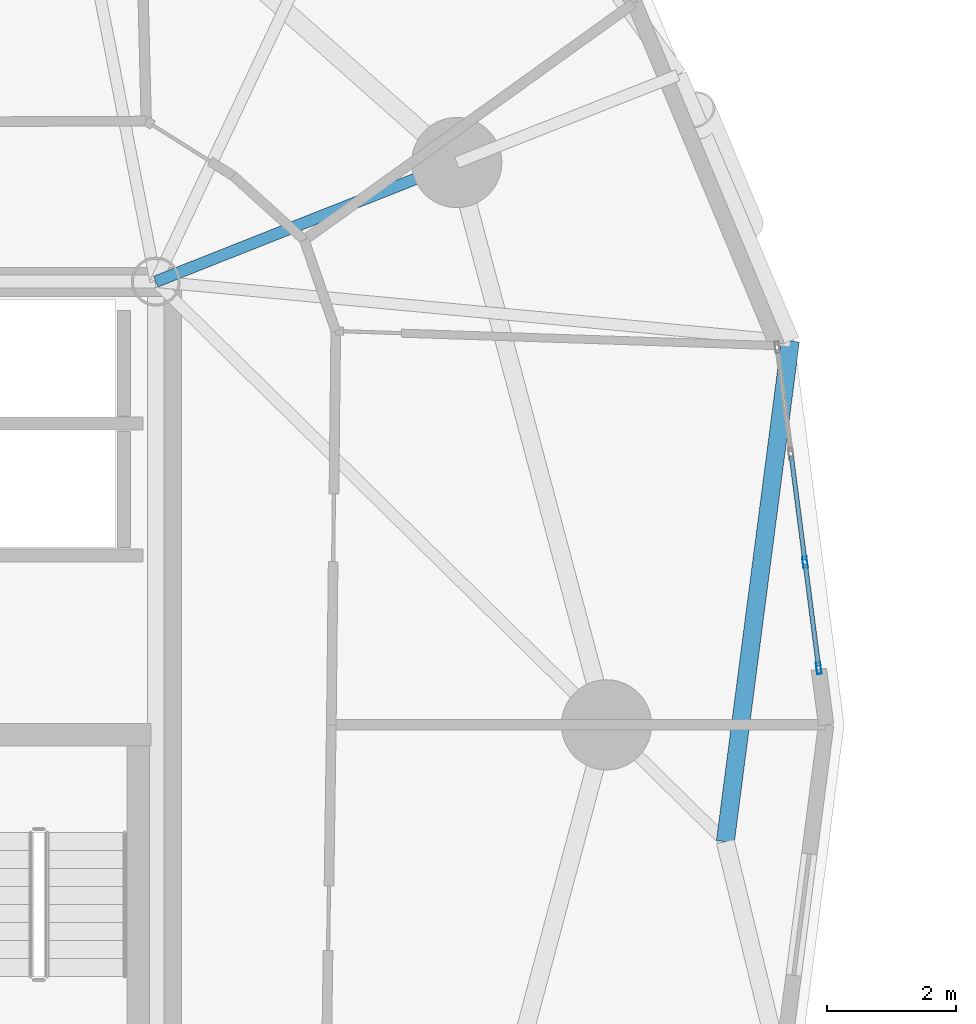
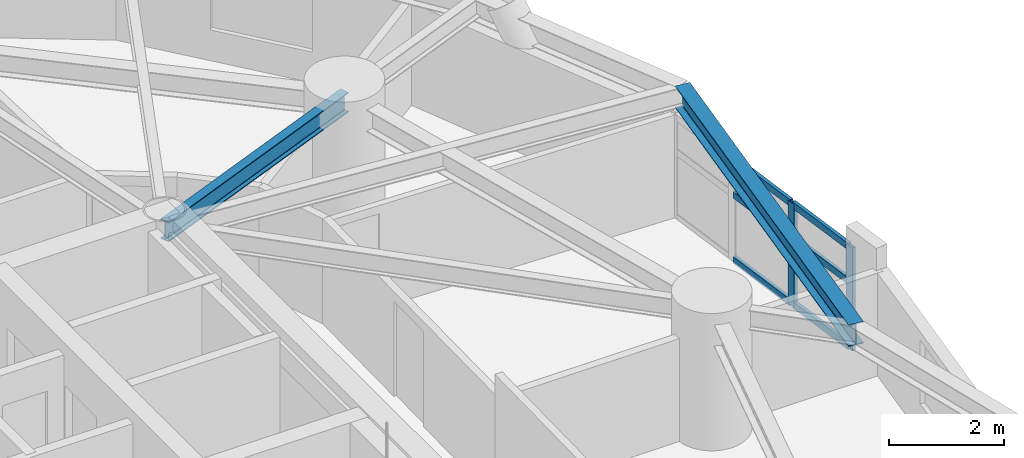
# One storey, part 2 of 17: 8 members, 2 beams, 1 element without a shape of its own.
"""IFC4 building model written with IfcOpenShell, lengths in metres."""

import ifcopenshell
import ifcopenshell.guid

model = None  # the IFC model being written
_history = None  # IfcOwnerHistory: only IFC2X3 demands one
_inside = {}  # id of a spatial element -> (the spatial element, [elements in it])
_under = {}  # id of a project, library or spatial element -> (it, [spatial elements below it])
_declared = {}  # id of a project -> (the project, [libraries it declares])
_typed = {}  # id of a type object -> (the type object, [elements of that type])
_made_of = {}  # id of a material, layer set ... -> (it, [elements and type objects made of it])


def new_model(schema):
    """Start an empty IFC model of exactly this schema.

    Asked for "IFC4X3", IfcOpenShell would pick the latest addendum, in which some entities
    have other attributes; the version numbers below select the first issue.
    IFC2X3 requires an IfcOwnerHistory on every rooted entity: one is made here for all.
    """
    global model, _history
    if schema == "IFC4X3":
        model = ifcopenshell.file(schema_version=(4, 3, 0, 0))
    else:
        model = ifcopenshell.file(schema=schema)
    _inside.clear()
    _under.clear()
    _declared.clear()
    _typed.clear()
    _made_of.clear()
    _history = None
    if model.schema == "IFC2X3":
        org = make("IfcOrganization", Name="unknown")
        user = make(
            "IfcPersonAndOrganization",
            ThePerson=make("IfcPerson", FamilyName="unknown"),
            TheOrganization=org,
        )
        app = make(
            "IfcApplication",
            ApplicationDeveloper=org,
            Version="unknown",
            ApplicationFullName="unknown",
            ApplicationIdentifier="unknown",
        )
        _history = make(
            "IfcOwnerHistory",
            OwningUser=user,
            OwningApplication=app,
            ChangeAction="ADDED",
            CreationDate=0,
        )
    return model


def make(cls, **values):
    """One entity of the class cls with the attributes given. An attribute that is None is left unset."""
    return model.create_entity(
        cls, **{name: value for name, value in values.items() if value is not None}
    )


def rooted(cls, **values):
    """An entity with a GlobalId (a new one), such as an element, a storey or a relation."""
    return make(cls, GlobalId=ifcopenshell.guid.new(), OwnerHistory=_history, **values)


def si_unit(unit_type, name, prefix=None):
    """IfcSIUnit, for example si_unit("LENGTHUNIT", "METRE", prefix="MILLI")."""
    return make("IfcSIUnit", UnitType=unit_type, Prefix=prefix, Name=name)


def assignment(units):
    """IfcUnitAssignment: the units of a project."""
    return None if units is None else make("IfcUnitAssignment", Units=units)


def point(xyz):
    """IfcCartesianPoint."""
    return None if xyz is None else make("IfcCartesianPoint", Coordinates=xyz)


def direction(xyz):
    """IfcDirection."""
    return None if xyz is None else make("IfcDirection", DirectionRatios=xyz)


def frame(location, z_axis=None, x_axis=None):
    """IfcAxis2Placement3D, a coordinate frame: its origin and axes. An axis left out is left unset."""
    return make(
        "IfcAxis2Placement3D",
        Location=point(location),
        Axis=direction(z_axis),
        RefDirection=direction(x_axis),
    )


def frame_2d(location, x_axis=None):
    """IfcAxis2Placement2D, a coordinate frame in the plane: its origin and x axis."""
    return make(
        "IfcAxis2Placement2D", Location=point(location), RefDirection=direction(x_axis)
    )


def origin():
    """The frame at (0, 0, 0) with its axes left unset."""
    return frame((0.0, 0.0, 0.0))


def origin_2d():
    """The frame at (0, 0) in the plane with its x axis left unset."""
    return frame_2d((0.0, 0.0))


def place(relative_to, where):
    """IfcLocalPlacement: puts the frame where relative to a parent placement (None: the world)."""
    return make(
        "IfcLocalPlacement", PlacementRelTo=relative_to, RelativePlacement=where
    )


def context(
    kind, dimensions, precision=None, world=None, true_north=None, identifier=None
):
    """IfcGeometricRepresentationContext, for example the 3D "Model" context."""
    return make(
        "IfcGeometricRepresentationContext",
        ContextIdentifier=identifier,
        ContextType=kind,
        CoordinateSpaceDimension=dimensions,
        Precision=precision,
        WorldCoordinateSystem=world,
        TrueNorth=true_north,
    )


def subcontext(parent, identifier, kind, view, scale=None):
    """IfcGeometricRepresentationSubContext, for example "Body" below "Model"."""
    return make(
        "IfcGeometricRepresentationSubContext",
        ContextIdentifier=identifier,
        ContextType=kind,
        ParentContext=parent,
        TargetScale=scale,
        TargetView=view,
    )


def project(units=None, contexts=None):
    """IfcProject with its units and contexts."""
    return rooted(
        "IfcProject",
        Name="project",
        RepresentationContexts=contexts,
        UnitsInContext=assignment(units),
    )


def spatial(cls, under=None, at=None, **own):
    """A site, building, storey or space (cls), placed at a placement, below another one or the project."""
    s = rooted(cls, ObjectPlacement=at, **own)
    if under is not None:
        _under.setdefault(under.id(), (under, []))[1].append(s)
    return s


def profile(cls, at=None, kind="AREA", **sizes):
    """A parametric profile (cls). Its sizes go by their IFC names, for example OverallWidth=200.0."""
    return make(cls, ProfileType=kind, Position=at, **sizes)


def hollow_rectangle(**sizes):
    """IfcRectangleHollowProfileDef."""
    return profile("IfcRectangleHollowProfileDef", **sizes)


def i_section(**sizes):
    """IfcIShapeProfileDef."""
    return profile("IfcIShapeProfileDef", **sizes)


def extrude(swept, where, along, depth):
    """IfcExtrudedAreaSolid: the profile swept, set in the frame where, extruded along a direction by depth."""
    return make(
        "IfcExtrudedAreaSolid",
        SweptArea=swept,
        Position=where,
        ExtrudedDirection=direction(along),
        Depth=depth,
    )


def shape(context_of_items, identifier, shape_type, items):
    """IfcShapeRepresentation: the items that make up one representation, for example the "Body"."""
    return make(
        "IfcShapeRepresentation",
        ContextOfItems=context_of_items,
        RepresentationIdentifier=identifier,
        RepresentationType=shape_type,
        Items=items,
    )


def material(Name=None, Category=None):
    """IfcMaterial."""
    return make("IfcMaterial", Name=Name, Category=Category)


def layer(
    of_material, thickness, ventilated=None, Name=None, Category=None, Priority=None
):
    """IfcMaterialLayer: one layer of a wall or slab, of a material (None: an air gap)."""
    return make(
        "IfcMaterialLayer",
        Material=of_material,
        LayerThickness=thickness,
        IsVentilated=ventilated,
        Name=Name,
        Category=Category,
        Priority=Priority,
    )


def layer_set(layers, Name=None):
    """IfcMaterialLayerSet."""
    return make("IfcMaterialLayerSet", MaterialLayers=layers, LayerSetName=Name)


def material_profile(
    of_material, cross_section, Name=None, Category=None, Priority=None
):
    """IfcMaterialProfile: a cross section and its material."""
    return make(
        "IfcMaterialProfile",
        Name=Name,
        Material=of_material,
        Profile=cross_section,
        Priority=Priority,
        Category=Category,
    )


def profile_set(profiles, Name=None, composite=None):
    """IfcMaterialProfileSet."""
    return make(
        "IfcMaterialProfileSet",
        Name=Name,
        MaterialProfiles=profiles,
        CompositeProfile=composite,
    )


def made_of(thing, what):
    """Note that an element or type object is made of a material, layer set ...; save() writes the relation."""
    if what is not None:
        _made_of.setdefault(what.id(), (what, []))[1].append(thing)
    return thing


def type_object(cls, material=None, **own):
    """A type object (cls), such as IfcWallType, which elements share."""
    return made_of(rooted(cls, **own), material)


def element(
    cls,
    number,
    at=None,
    inside=None,
    cuts=None,
    type_object=None,
    material=None,
    context=None,
    identifier="Body",
    shape_type=None,
    held_by="IfcProductDefinitionShape",
    body=None,
    shapes=None,
    **own,
):
    """One element of the class cls, such as IfcWall. Its Tag is "e" and its number.

    at: its placement. inside: the storey or other place that contains it. cuts: it is an
    opening in that element (IfcRelVoidsElement). A single representation is given by context,
    identifier, shape_type and body (its items); several are given by shapes. held_by: the class
    of the entity that holds the representations. save() writes the other relations.
    """
    e = rooted(cls, Tag="e%d" % number, ObjectPlacement=at, **own)
    if body is not None:
        shapes = [shape(context, identifier, shape_type, body)]
    if shapes is not None:
        e.Representation = make(held_by, Representations=shapes)
    if inside is not None:
        _inside.setdefault(inside.id(), (inside, []))[1].append(e)
    if cuts is not None:
        rooted(
            "IfcRelVoidsElement", RelatingBuildingElement=cuts, RelatedOpeningElement=e
        )
    if type_object is not None:
        _typed.setdefault(type_object.id(), (type_object, []))[1].append(e)
    return made_of(e, material)


def aggregate(whole, parts):
    """IfcRelAggregates: a whole, such as a stair, and the parts it consists of."""
    return rooted("IfcRelAggregates", RelatingObject=whole, RelatedObjects=parts)


def save(model, path):
    """Write the relations noted so far, then the file.

    IfcRelAggregates (storeys below a building ...), IfcRelContainedInSpatialStructure (elements
    in a storey), IfcRelDefinesByType, IfcRelAssociatesMaterial and IfcRelDeclares: one each for
    every whole, place, type object, material and project.
    """
    for whole, parts in _under.values():
        aggregate(whole, parts)
    for where, things in _inside.values():
        rooted(
            "IfcRelContainedInSpatialStructure",
            RelatedElements=things,
            RelatingStructure=where,
        )
    for kind, things in _typed.values():
        rooted("IfcRelDefinesByType", RelatedObjects=things, RelatingType=kind)
    for what, things in _made_of.values():
        rooted("IfcRelAssociatesMaterial", RelatedObjects=things, RelatingMaterial=what)
    for by, libraries in _declared.values():
        rooted("IfcRelDeclares", RelatingContext=by, RelatedDefinitions=libraries)
    model.write(path)


model = new_model("IFC4")

# Units and contexts
model_context = context("Model", 3, precision=1e-05, world=origin(), true_north=direction((0.0, 1.0)))
body_context = subcontext(model_context, "Body", "Model", "MODEL_VIEW")
ifc_project = project(units=[si_unit("LENGTHUNIT", "METRE"), si_unit("AREAUNIT", "SQUARE_METRE"), si_unit("VOLUMEUNIT", "CUBIC_METRE"), si_unit("PLANEANGLEUNIT", "RADIAN"), si_unit("MASSUNIT", "GRAM", prefix="KILO")], contexts=[model_context])

# Site, building, storey
site_placement = place(None, origin())
site = spatial("IfcSite", under=ifc_project, at=site_placement, CompositionType="ELEMENT")
building_placement = place(site_placement, origin())
building = spatial("IfcBuilding", under=site, at=building_placement, Name="Cununo Teusaquillo Station Towers", CompositionType="ELEMENT")
storey_placement = place(building_placement, frame((0.0, 0.0, 78.8798828125)))
storey = spatial("IfcBuildingStorey", under=building, at=storey_placement, Name="L24", CompositionType="ELEMENT", Elevation=78.8798828125)

# Beams
ifc_material_1 = material(Name="Steel ASTM A572 Grade 50", Category="steel")
ifc_material_profile_1 = material_profile(ifc_material_1, i_section(OverallWidth=0.180908203125, OverallDepth=0.4169921875, WebThickness=0.010986328125, FlangeThickness=0.018310546875, FilletRadius=0.012939453125, at=origin_2d()), Name="W16X57")
ifc_profile_set_1 = profile_set([ifc_material_profile_1], Name="Steel ASTM A572 Grade 50")
beam_type_1 = type_object("IfcBeamType", Name="BM-RAD-G2", PredefinedType="BEAM", material=ifc_profile_set_1)
beam_1_placement = place(storey_placement, frame((21.675048828125, 31.3798828125, 2.461669921875), z_axis=(0.929864104313, 0.367903176814, 0.0), x_axis=(-0.367903176814, 0.929864104313, 0.0)))
element("IfcBeam", 1, at=beam_1_placement, inside=storey, type_object=beam_type_1, Name="L24 Tower A Radial Girder 02A", PredefinedType="BEAM", context=body_context, shape_type="SweptSolid", body=[
    extrude(i_section(OverallWidth=0.180908203125, OverallDepth=0.4169921875, WebThickness=0.010986328125, FlangeThickness=0.018310546875, FilletRadius=0.012939453125, at=origin_2d()), origin(), (0.0, 0.0, 1.0), 5.02490234375),
])
ifc_material_2 = material(Name="Steel ASTM A572 Grade 50", Category="steel")
ifc_material_profile_2 = material_profile(ifc_material_2, i_section(OverallWidth=0.280029296875, OverallDepth=0.462890625, WebThickness=0.0107421875, FlangeThickness=0.017333984375, FilletRadius=0.013916015625, at=origin_2d()), Name="W18X76")
ifc_profile_set_2 = profile_set([ifc_material_profile_2], Name="Steel ASTM A572 Grade 50")
beam_type_2 = type_object("IfcBeamType", Name="BM-RING-Z2", PredefinedType="SPANDREL", material=ifc_profile_set_2)
beam_2_placement = place(storey_placement, frame((30.51708984375, 22.685791015625, 2.438720703125), z_axis=(0.12888124113, 0.991660035337, 0.0), x_axis=(-0.991660035337, 0.12888124113, 0.0)))
element("IfcBeam", 2, at=beam_2_placement, inside=storey, type_object=beam_type_2, Name="L24 Tower A Spandrel Ring Beam 01", PredefinedType="SPANDREL", context=body_context, shape_type="SweptSolid", body=[
    extrude(i_section(OverallWidth=0.280029296875, OverallDepth=0.462890625, WebThickness=0.0107421875, FlangeThickness=0.017333984375, FilletRadius=0.013916015625, at=origin_2d()), origin(), (0.0, 0.0, 1.0), 7.840576171875),
])

# Curtain wall, members
ifc_material_3 = material(Name="Ceramic-fritted dark low-E double glazing", Category="glass")
ifc_layer = layer(ifc_material_3, 0.179931640625)
ifc_layer_set = layer_set([ifc_layer], Name="Ceramic-fritted dark low-E double glazing")
curtain_wall_type = type_object("IfcCurtainWallType", Name="CW-SYS-04", PredefinedType="USERDEFINED", material=ifc_layer_set)
curtain_wall_placement = place(storey_placement, origin())
curtain_wall = element("IfcCurtainWall", 3, at=curtain_wall_placement, inside=storey, type_object=curtain_wall_type, Name="L24 Tower A Facade Curtain Wall C00", ObjectType="FRITTED GLAZING", PredefinedType="USERDEFINED")
ifc_material_4 = material(Name="Anodised dark bronze aluminium EN AW-6063-T6", Category="aluminium")
ifc_material_profile_3 = material_profile(ifc_material_4, hollow_rectangle(XDim=0.070068359375, YDim=0.179931640625, WallThickness=0.00390625, at=origin_2d()), Name="CW-MULL-70x180")
ifc_profile_set_3 = profile_set([ifc_material_profile_3], Name="Anodised dark bronze aluminium EN AW-6063-T6")
member_type_1 = type_object("IfcMemberType", Name="CWM-180", PredefinedType="MULLION", material=ifc_profile_set_3)
member_1_placement = place(storey_placement, frame((31.754150390625, 27.0263671875, 0.0), z_axis=(0.0, 0.0, 1.0), x_axis=(0.991730764367, 0.128335852387, 0.0)))
member_1 = element("IfcMember", 4, at=member_1_placement, type_object=member_type_1, Name="CW-04 mullion 3", PredefinedType="MULLION", context=body_context, shape_type="SweptSolid", body=[
    extrude(hollow_rectangle(XDim=0.070068359375, YDim=0.179931640625, WallThickness=0.00390625, at=origin_2d()), origin(), (0.0, 0.0, 1.0), 2.17919921875),
])
member_2_placement = place(storey_placement, frame((31.967529296875, 25.377685546875, 0.0), z_axis=(0.0, 0.0, 1.0), x_axis=(0.991730764367, 0.128335852387, 0.0)))
member_2 = element("IfcMember", 5, at=member_2_placement, type_object=member_type_1, Name="CW-04 mullion 4", PredefinedType="MULLION", context=body_context, shape_type="SweptSolid", body=[
    extrude(hollow_rectangle(XDim=0.070068359375, YDim=0.179931640625, WallThickness=0.00390625, at=origin_2d()), origin(), (0.0, 0.0, 1.0), 2.17919921875),
])
ifc_material_5 = material(Name="Anodised dark bronze aluminium EN AW-6063-T6", Category="aluminium")
ifc_material_profile_4 = material_profile(ifc_material_5, hollow_rectangle(XDim=0.070068359375, YDim=0.139892578125, WallThickness=0.00390625, at=origin_2d()), Name="CW-TRAN-70x140")
ifc_profile_set_4 = profile_set([ifc_material_profile_4], Name="Anodised dark bronze aluminium EN AW-6063-T6")
member_type_2 = type_object("IfcMemberType", Name="CWT-140", PredefinedType="USERDEFINED", material=ifc_profile_set_4)
member_3_placement = place(storey_placement, frame((31.540771484375, 28.675048828125, 0.03515625), z_axis=(0.128261686134, -0.991740359101, 0.0), x_axis=(0.991740359101, 0.128261686134, 0.0)))
member_3 = element("IfcMember", 6, at=member_3_placement, type_object=member_type_2, Name="CW-04 transom 2.1", ObjectType="TRANSOM", PredefinedType="USERDEFINED", context=body_context, shape_type="SweptSolid", body=[
    extrude(hollow_rectangle(XDim=0.070068359375, YDim=0.139892578125, WallThickness=0.00390625, at=origin_2d()), origin(), (0.0, 0.0, 1.0), 1.62744140625),
])
member_4_placement = place(storey_placement, frame((31.540771484375, 28.675048828125, 1.416015625), z_axis=(0.128261686134, -0.991740359101, 0.0), x_axis=(0.991740359101, 0.128261686134, 0.0)))
member_4 = element("IfcMember", 7, at=member_4_placement, type_object=member_type_2, Name="CW-04 transom 2.2", ObjectType="TRANSOM", PredefinedType="USERDEFINED", context=body_context, shape_type="SweptSolid", body=[
    extrude(hollow_rectangle(XDim=0.070068359375, YDim=0.139892578125, WallThickness=0.00390625, at=origin_2d()), origin(), (0.0, 0.0, 1.0), 1.62744140625),
])
member_5_placement = place(storey_placement, frame((31.540771484375, 28.675048828125, 2.14404296875), z_axis=(0.128261686134, -0.991740359101, 0.0), x_axis=(0.991740359101, 0.128261686134, 0.0)))
member_5 = element("IfcMember", 8, at=member_5_placement, type_object=member_type_2, Name="CW-04 transom 2.3", ObjectType="TRANSOM", PredefinedType="USERDEFINED", context=body_context, shape_type="SweptSolid", body=[
    extrude(hollow_rectangle(XDim=0.070068359375, YDim=0.139892578125, WallThickness=0.00390625, at=origin_2d()), origin(), (0.0, 0.0, 1.0), 1.62744140625),
])
member_6_placement = place(storey_placement, frame((31.758544921875, 26.99169921875, 0.03515625), z_axis=(0.128316698748, -0.991733242774, 0.0), x_axis=(0.991733242774, 0.128316698748, 0.0)))
member_6 = element("IfcMember", 9, at=member_6_placement, type_object=member_type_2, Name="CW-04 transom 3.1", ObjectType="TRANSOM", PredefinedType="USERDEFINED", context=body_context, shape_type="SweptSolid", body=[
    extrude(hollow_rectangle(XDim=0.070068359375, YDim=0.139892578125, WallThickness=0.00390625, at=origin_2d()), origin(), (0.0, 0.0, 1.0), 1.592529296875),
])
member_7_placement = place(storey_placement, frame((31.758544921875, 26.99169921875, 1.416015625), z_axis=(0.128316698748, -0.991733242774, 0.0), x_axis=(0.991733242774, 0.128316698748, 0.0)))
member_7 = element("IfcMember", 10, at=member_7_placement, type_object=member_type_2, Name="CW-04 transom 3.2", ObjectType="TRANSOM", PredefinedType="USERDEFINED", context=body_context, shape_type="SweptSolid", body=[
    extrude(hollow_rectangle(XDim=0.070068359375, YDim=0.139892578125, WallThickness=0.00390625, at=origin_2d()), origin(), (0.0, 0.0, 1.0), 1.592529296875),
])
member_8_placement = place(storey_placement, frame((31.758544921875, 26.99169921875, 2.14404296875), z_axis=(0.128316698748, -0.991733242774, 0.0), x_axis=(0.991733242774, 0.128316698748, 0.0)))
member_8 = element("IfcMember", 11, at=member_8_placement, type_object=member_type_2, Name="CW-04 transom 3.3", ObjectType="TRANSOM", PredefinedType="USERDEFINED", context=body_context, shape_type="SweptSolid", body=[
    extrude(hollow_rectangle(XDim=0.070068359375, YDim=0.139892578125, WallThickness=0.00390625, at=origin_2d()), origin(), (0.0, 0.0, 1.0), 1.592529296875),
])
aggregate(curtain_wall, [member_1, member_2, member_3, member_4, member_5, member_6, member_7, member_8])

save(model, "model.ifc")
